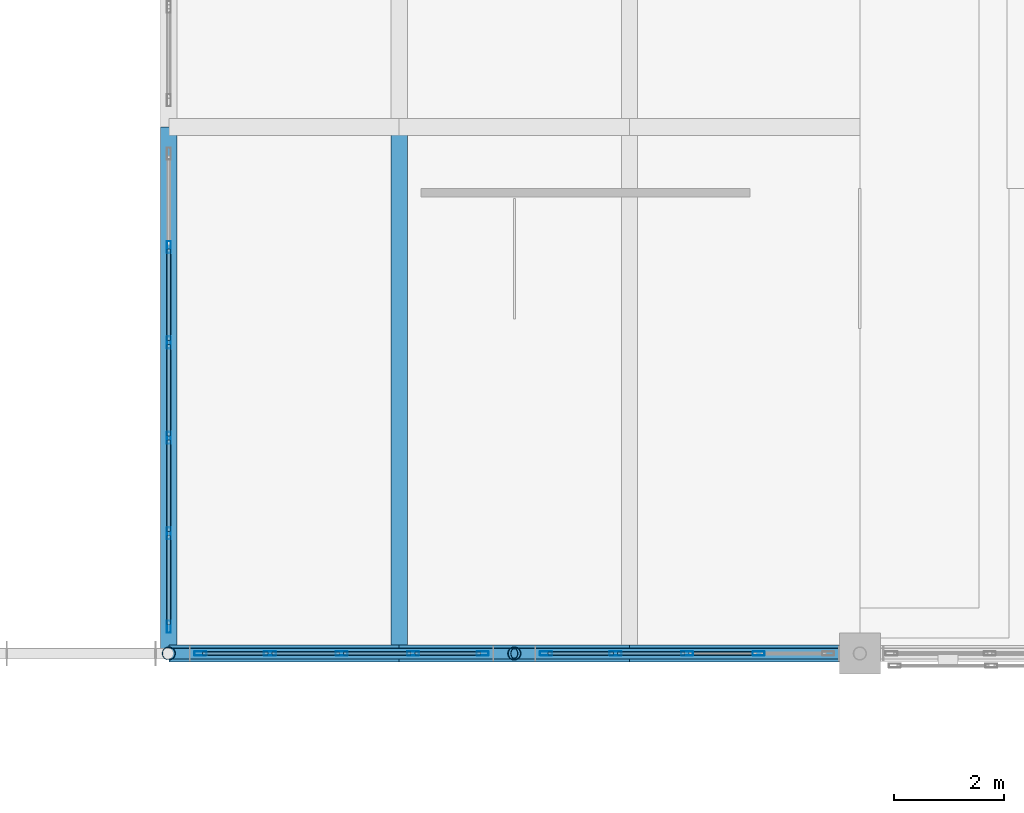
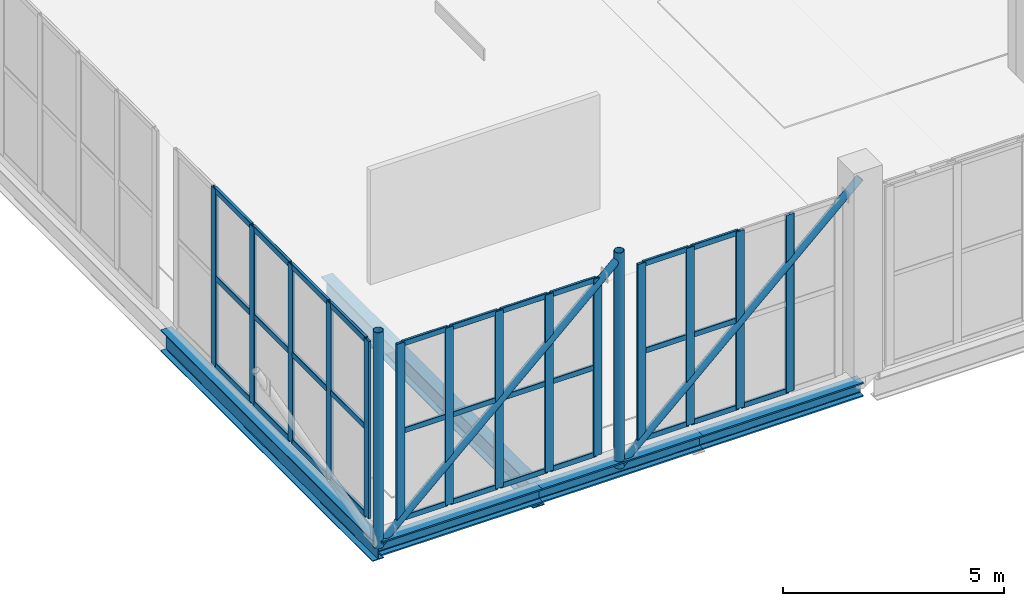
# One storey, part 2 of 49: 52 members, 2 beams, 3 elements without a shape of their own.
"""IFC4 building model written with IfcOpenShell, lengths in metres."""

import ifcopenshell
import ifcopenshell.guid

model = None  # the IFC model being written
_history = None  # IfcOwnerHistory: only IFC2X3 demands one
_inside = {}  # id of a spatial element -> (the spatial element, [elements in it])
_under = {}  # id of a project, library or spatial element -> (it, [spatial elements below it])
_declared = {}  # id of a project -> (the project, [libraries it declares])
_typed = {}  # id of a type object -> (the type object, [elements of that type])
_made_of = {}  # id of a material, layer set ... -> (it, [elements and type objects made of it])


def new_model(schema):
    """Start an empty IFC model of exactly this schema.

    Asked for "IFC4X3", IfcOpenShell would pick the latest addendum, in which some entities
    have other attributes; the version numbers below select the first issue.
    IFC2X3 requires an IfcOwnerHistory on every rooted entity: one is made here for all.
    """
    global model, _history
    if schema == "IFC4X3":
        model = ifcopenshell.file(schema_version=(4, 3, 0, 0))
    else:
        model = ifcopenshell.file(schema=schema)
    _inside.clear()
    _under.clear()
    _declared.clear()
    _typed.clear()
    _made_of.clear()
    _history = None
    if model.schema == "IFC2X3":
        org = make("IfcOrganization", Name="unknown")
        user = make(
            "IfcPersonAndOrganization",
            ThePerson=make("IfcPerson", FamilyName="unknown"),
            TheOrganization=org,
        )
        app = make(
            "IfcApplication",
            ApplicationDeveloper=org,
            Version="unknown",
            ApplicationFullName="unknown",
            ApplicationIdentifier="unknown",
        )
        _history = make(
            "IfcOwnerHistory",
            OwningUser=user,
            OwningApplication=app,
            ChangeAction="ADDED",
            CreationDate=0,
        )
    return model


def make(cls, **values):
    """One entity of the class cls with the attributes given. An attribute that is None is left unset."""
    return model.create_entity(
        cls, **{name: value for name, value in values.items() if value is not None}
    )


def rooted(cls, **values):
    """An entity with a GlobalId (a new one), such as an element, a storey or a relation."""
    return make(cls, GlobalId=ifcopenshell.guid.new(), OwnerHistory=_history, **values)


def si_unit(unit_type, name, prefix=None):
    """IfcSIUnit, for example si_unit("LENGTHUNIT", "METRE", prefix="MILLI")."""
    return make("IfcSIUnit", UnitType=unit_type, Prefix=prefix, Name=name)


def assignment(units):
    """IfcUnitAssignment: the units of a project."""
    return None if units is None else make("IfcUnitAssignment", Units=units)


def point(xyz):
    """IfcCartesianPoint."""
    return None if xyz is None else make("IfcCartesianPoint", Coordinates=xyz)


def direction(xyz):
    """IfcDirection."""
    return None if xyz is None else make("IfcDirection", DirectionRatios=xyz)


def frame(location, z_axis=None, x_axis=None):
    """IfcAxis2Placement3D, a coordinate frame: its origin and axes. An axis left out is left unset."""
    return make(
        "IfcAxis2Placement3D",
        Location=point(location),
        Axis=direction(z_axis),
        RefDirection=direction(x_axis),
    )


def frame_2d(location, x_axis=None):
    """IfcAxis2Placement2D, a coordinate frame in the plane: its origin and x axis."""
    return make(
        "IfcAxis2Placement2D", Location=point(location), RefDirection=direction(x_axis)
    )


def origin():
    """The frame at (0, 0, 0) with its axes left unset."""
    return frame((0.0, 0.0, 0.0))


def origin_2d():
    """The frame at (0, 0) in the plane with its x axis left unset."""
    return frame_2d((0.0, 0.0))


def place(relative_to, where):
    """IfcLocalPlacement: puts the frame where relative to a parent placement (None: the world)."""
    return make(
        "IfcLocalPlacement", PlacementRelTo=relative_to, RelativePlacement=where
    )


def context(
    kind, dimensions, precision=None, world=None, true_north=None, identifier=None
):
    """IfcGeometricRepresentationContext, for example the 3D "Model" context."""
    return make(
        "IfcGeometricRepresentationContext",
        ContextIdentifier=identifier,
        ContextType=kind,
        CoordinateSpaceDimension=dimensions,
        Precision=precision,
        WorldCoordinateSystem=world,
        TrueNorth=true_north,
    )


def subcontext(parent, identifier, kind, view, scale=None):
    """IfcGeometricRepresentationSubContext, for example "Body" below "Model"."""
    return make(
        "IfcGeometricRepresentationSubContext",
        ContextIdentifier=identifier,
        ContextType=kind,
        ParentContext=parent,
        TargetScale=scale,
        TargetView=view,
    )


def project(units=None, contexts=None):
    """IfcProject with its units and contexts."""
    return rooted(
        "IfcProject",
        Name="project",
        RepresentationContexts=contexts,
        UnitsInContext=assignment(units),
    )


def spatial(cls, under=None, at=None, **own):
    """A site, building, storey or space (cls), placed at a placement, below another one or the project."""
    s = rooted(cls, ObjectPlacement=at, **own)
    if under is not None:
        _under.setdefault(under.id(), (under, []))[1].append(s)
    return s


def profile(cls, at=None, kind="AREA", **sizes):
    """A parametric profile (cls). Its sizes go by their IFC names, for example OverallWidth=200.0."""
    return make(cls, ProfileType=kind, Position=at, **sizes)


def hollow_rectangle(**sizes):
    """IfcRectangleHollowProfileDef."""
    return profile("IfcRectangleHollowProfileDef", **sizes)


def hollow_circle(**sizes):
    """IfcCircleHollowProfileDef."""
    return profile("IfcCircleHollowProfileDef", **sizes)


def i_section(**sizes):
    """IfcIShapeProfileDef."""
    return profile("IfcIShapeProfileDef", **sizes)


def extrude(swept, where, along, depth):
    """IfcExtrudedAreaSolid: the profile swept, set in the frame where, extruded along a direction by depth."""
    return make(
        "IfcExtrudedAreaSolid",
        SweptArea=swept,
        Position=where,
        ExtrudedDirection=direction(along),
        Depth=depth,
    )


def shape(context_of_items, identifier, shape_type, items):
    """IfcShapeRepresentation: the items that make up one representation, for example the "Body"."""
    return make(
        "IfcShapeRepresentation",
        ContextOfItems=context_of_items,
        RepresentationIdentifier=identifier,
        RepresentationType=shape_type,
        Items=items,
    )


def material(Name=None, Category=None):
    """IfcMaterial."""
    return make("IfcMaterial", Name=Name, Category=Category)


def layer(
    of_material, thickness, ventilated=None, Name=None, Category=None, Priority=None
):
    """IfcMaterialLayer: one layer of a wall or slab, of a material (None: an air gap)."""
    return make(
        "IfcMaterialLayer",
        Material=of_material,
        LayerThickness=thickness,
        IsVentilated=ventilated,
        Name=Name,
        Category=Category,
        Priority=Priority,
    )


def layer_set(layers, Name=None):
    """IfcMaterialLayerSet."""
    return make("IfcMaterialLayerSet", MaterialLayers=layers, LayerSetName=Name)


def material_profile(
    of_material, cross_section, Name=None, Category=None, Priority=None
):
    """IfcMaterialProfile: a cross section and its material."""
    return make(
        "IfcMaterialProfile",
        Name=Name,
        Material=of_material,
        Profile=cross_section,
        Priority=Priority,
        Category=Category,
    )


def profile_set(profiles, Name=None, composite=None):
    """IfcMaterialProfileSet."""
    return make(
        "IfcMaterialProfileSet",
        Name=Name,
        MaterialProfiles=profiles,
        CompositeProfile=composite,
    )


def made_of(thing, what):
    """Note that an element or type object is made of a material, layer set ...; save() writes the relation."""
    if what is not None:
        _made_of.setdefault(what.id(), (what, []))[1].append(thing)
    return thing


def type_object(cls, material=None, **own):
    """A type object (cls), such as IfcWallType, which elements share."""
    return made_of(rooted(cls, **own), material)


def element(
    cls,
    number,
    at=None,
    inside=None,
    cuts=None,
    type_object=None,
    material=None,
    context=None,
    identifier="Body",
    shape_type=None,
    held_by="IfcProductDefinitionShape",
    body=None,
    shapes=None,
    **own,
):
    """One element of the class cls, such as IfcWall. Its Tag is "e" and its number.

    at: its placement. inside: the storey or other place that contains it. cuts: it is an
    opening in that element (IfcRelVoidsElement). A single representation is given by context,
    identifier, shape_type and body (its items); several are given by shapes. held_by: the class
    of the entity that holds the representations. save() writes the other relations.
    """
    e = rooted(cls, Tag="e%d" % number, ObjectPlacement=at, **own)
    if body is not None:
        shapes = [shape(context, identifier, shape_type, body)]
    if shapes is not None:
        e.Representation = make(held_by, Representations=shapes)
    if inside is not None:
        _inside.setdefault(inside.id(), (inside, []))[1].append(e)
    if cuts is not None:
        rooted(
            "IfcRelVoidsElement", RelatingBuildingElement=cuts, RelatedOpeningElement=e
        )
    if type_object is not None:
        _typed.setdefault(type_object.id(), (type_object, []))[1].append(e)
    return made_of(e, material)


def aggregate(whole, parts):
    """IfcRelAggregates: a whole, such as a stair, and the parts it consists of."""
    return rooted("IfcRelAggregates", RelatingObject=whole, RelatedObjects=parts)


def save(model, path):
    """Write the relations noted so far, then the file.

    IfcRelAggregates (storeys below a building ...), IfcRelContainedInSpatialStructure (elements
    in a storey), IfcRelDefinesByType, IfcRelAssociatesMaterial and IfcRelDeclares: one each for
    every whole, place, type object, material and project.
    """
    for whole, parts in _under.values():
        aggregate(whole, parts)
    for where, things in _inside.values():
        rooted(
            "IfcRelContainedInSpatialStructure",
            RelatedElements=things,
            RelatingStructure=where,
        )
    for kind, things in _typed.values():
        rooted("IfcRelDefinesByType", RelatedObjects=things, RelatingType=kind)
    for what, things in _made_of.values():
        rooted("IfcRelAssociatesMaterial", RelatedObjects=things, RelatingMaterial=what)
    for by, libraries in _declared.values():
        rooted("IfcRelDeclares", RelatingContext=by, RelatedDefinitions=libraries)
    model.write(path)


model = new_model("IFC4")

# Units and contexts
model_context = context("Model", 3, precision=1e-05, world=origin(), true_north=direction((0.0, 1.0)))
body_context = subcontext(model_context, "Body", "Model", "MODEL_VIEW")
ifc_project = project(units=[si_unit("LENGTHUNIT", "METRE"), si_unit("AREAUNIT", "SQUARE_METRE"), si_unit("VOLUMEUNIT", "CUBIC_METRE"), si_unit("PLANEANGLEUNIT", "RADIAN"), si_unit("MASSUNIT", "GRAM", prefix="KILO")], contexts=[model_context])

# Site, building, storey
site_placement = place(None, origin())
site = spatial("IfcSite", under=ifc_project, at=site_placement, CompositionType="ELEMENT")
building_placement = place(site_placement, origin())
building = spatial("IfcBuilding", under=site, at=building_placement, Name="Zulmaris Art Gallery", CompositionType="ELEMENT")
storey_placement = place(building_placement, frame((0.0, 0.0, 20.699951171875)))
storey = spatial("IfcBuildingStorey", under=building, at=storey_placement, Name="L04", CompositionType="ELEMENT", Elevation=20.699951171875)

# Beams
ifc_material_1 = material(Name="Steel S355J2", Category="steel")
ifc_material_profile_1 = material_profile(ifc_material_1, i_section(OverallWidth=0.300048828125, OverallDepth=0.590087890625, WebThickness=0.012939453125, FlangeThickness=0.02490234375, FilletRadius=0.027099609375, at=origin_2d()), Name="HEA 600")
ifc_profile_set_1 = profile_set([ifc_material_profile_1], Name="Steel S355J2")
beam_type = type_object("IfcBeamType", Name="BEAM-BM12", PredefinedType="BEAM", material=ifc_profile_set_1)
for number, where, z_axis, x_axis, name in (
    (1, (11.39990234375, 21.60009765625, -0.614990234375), (0.0, 1.0, 0.0), (-1.0, 0.0, 0.0), "L04 cantilever transverse girder at x=11.4"),
    (2, (15.60009765625, 21.60009765625, -0.614990234375), (0.0, 1.0, 0.0), (-1.0, 0.0, 0.0), "L04 cantilever transverse girder at x=15.6"),
):
    element("IfcBeam", number, at=place(storey_placement, frame(where, z_axis=z_axis, x_axis=x_axis)), inside=storey, type_object=beam_type, Name=name, PredefinedType="BEAM", context=body_context, shape_type="SweptSolid", body=[
        extrude(i_section(OverallWidth=0.300048828125, OverallDepth=0.590087890625, WebThickness=0.012939453125, FlangeThickness=0.02490234375, FilletRadius=0.027099609375, at=origin_2d()), origin(), (0.0, 0.0, 1.0), 9.599853515625),
    ])

# Curtain wall, members
ifc_material_2 = material(Name="Unitised Low-E Gallery Curtain Wall", Category="aluminium")
ifc_layer_1 = layer(ifc_material_2, 0.179931640625)
ifc_layer_set_1 = layer_set([ifc_layer_1], Name="Unitised Low-E Gallery Curtain Wall")
curtain_wall_type_1 = type_object("IfcCurtainWallType", Name="CW-CW01", PredefinedType="NOTDEFINED", material=ifc_layer_set_1)
curtain_wall_1_placement = place(storey_placement, origin())
curtain_wall_1 = element("IfcCurtainWall", 3, at=curtain_wall_1_placement, inside=storey, type_object=curtain_wall_type_1, Name="L04 curtain wall 19", PredefinedType="NOTDEFINED")
ifc_material_3 = material(Name="Anodised Bronze Aluminium", Category="aluminium")
ifc_material_profile_2 = material_profile(ifc_material_3, hollow_rectangle(XDim=0.074951171875, YDim=0.219970703125, WallThickness=0.0048828125, InnerFilletRadius=0.007568359375, OuterFilletRadius=0.012451171875, at=origin_2d()), Name="ALU 75x220x5")
ifc_profile_set_2 = profile_set([ifc_material_profile_2], Name="Anodised Bronze Aluminium")
member_type_1 = type_object("IfcMemberType", Name="CWMUL-02", PredefinedType="MULLION", material=ifc_profile_set_2)
member_1_placement = place(storey_placement, frame((11.9775390625, 21.60009765625, 0.0), z_axis=(0.0, 0.0, 1.0), x_axis=(0.0, 1.0, 0.0)))
member_1 = element("IfcMember", 4, at=member_1_placement, type_object=member_type_1, Name="CW01 mullion 1", PredefinedType="MULLION", context=body_context, shape_type="SweptSolid", body=[
    extrude(hollow_rectangle(XDim=0.074951171875, YDim=0.219970703125, WallThickness=0.0048828125, InnerFilletRadius=0.007568359375, OuterFilletRadius=0.012451171875, at=origin_2d()), origin(), (0.0, 0.0, 1.0), 4.900146484375),
])
member_2_placement = place(storey_placement, frame((13.2451171875, 21.60009765625, 0.0), z_axis=(0.0, 0.0, 1.0), x_axis=(0.0, 1.0, 0.0)))
member_2 = element("IfcMember", 5, at=member_2_placement, type_object=member_type_1, Name="CW01 mullion 2", PredefinedType="MULLION", context=body_context, shape_type="SweptSolid", body=[
    extrude(hollow_rectangle(XDim=0.074951171875, YDim=0.219970703125, WallThickness=0.0048828125, InnerFilletRadius=0.007568359375, OuterFilletRadius=0.012451171875, at=origin_2d()), origin(), (0.0, 0.0, 1.0), 4.900146484375),
])
member_3_placement = place(storey_placement, frame((14.550048828125, 21.60009765625, 0.0), z_axis=(0.0, 0.0, 1.0), x_axis=(0.0, 1.0, 0.0)))
member_3 = element("IfcMember", 6, at=member_3_placement, type_object=member_type_1, Name="CW01 mullion 3", PredefinedType="MULLION", context=body_context, shape_type="SweptSolid", body=[
    extrude(hollow_rectangle(XDim=0.074951171875, YDim=0.219970703125, WallThickness=0.0048828125, InnerFilletRadius=0.007568359375, OuterFilletRadius=0.012451171875, at=origin_2d()), origin(), (0.0, 0.0, 1.0), 4.900146484375),
])
member_4_placement = place(storey_placement, frame((15.85498046875, 21.60009765625, 0.0), z_axis=(0.0, 0.0, 1.0), x_axis=(0.0, 1.0, 0.0)))
member_4 = element("IfcMember", 7, at=member_4_placement, type_object=member_type_1, Name="CW01 mullion 4", PredefinedType="MULLION", context=body_context, shape_type="SweptSolid", body=[
    extrude(hollow_rectangle(XDim=0.074951171875, YDim=0.219970703125, WallThickness=0.0048828125, InnerFilletRadius=0.007568359375, OuterFilletRadius=0.012451171875, at=origin_2d()), origin(), (0.0, 0.0, 1.0), 4.900146484375),
])
member_5_placement = place(storey_placement, frame((17.12255859375, 21.60009765625, 0.0), z_axis=(0.0, 0.0, 1.0), x_axis=(0.0, 1.0, 0.0)))
member_5 = element("IfcMember", 8, at=member_5_placement, type_object=member_type_1, Name="CW01 mullion 5", PredefinedType="MULLION", context=body_context, shape_type="SweptSolid", body=[
    extrude(hollow_rectangle(XDim=0.074951171875, YDim=0.219970703125, WallThickness=0.0048828125, InnerFilletRadius=0.007568359375, OuterFilletRadius=0.012451171875, at=origin_2d()), origin(), (0.0, 0.0, 1.0), 4.900146484375),
])

curtain_wall_2_placement = place(storey_placement, origin())
curtain_wall_2 = element("IfcCurtainWall", 9, at=curtain_wall_2_placement, inside=storey, type_object=curtain_wall_type_1, Name="L04 curtain wall 21", PredefinedType="NOTDEFINED")
member_6_placement = place(storey_placement, frame((18.277587890625, 21.60009765625, 0.0), z_axis=(0.0, 0.0, 1.0), x_axis=(0.0, 1.0, 0.0)))
member_6 = element("IfcMember", 10, at=member_6_placement, type_object=member_type_1, Name="CW01 mullion 1", PredefinedType="MULLION", context=body_context, shape_type="SweptSolid", body=[
    extrude(hollow_rectangle(XDim=0.074951171875, YDim=0.219970703125, WallThickness=0.0048828125, InnerFilletRadius=0.007568359375, OuterFilletRadius=0.012451171875, at=origin_2d()), origin(), (0.0, 0.0, 1.0), 4.900146484375),
])
member_7_placement = place(storey_placement, frame((19.544921875, 21.60009765625, 0.0), z_axis=(0.0, 0.0, 1.0), x_axis=(0.0, 1.0, 0.0)))
member_7 = element("IfcMember", 11, at=member_7_placement, type_object=member_type_1, Name="CW01 mullion 2", PredefinedType="MULLION", context=body_context, shape_type="SweptSolid", body=[
    extrude(hollow_rectangle(XDim=0.074951171875, YDim=0.219970703125, WallThickness=0.0048828125, InnerFilletRadius=0.007568359375, OuterFilletRadius=0.012451171875, at=origin_2d()), origin(), (0.0, 0.0, 1.0), 4.900146484375),
])
member_8_placement = place(storey_placement, frame((20.85009765625, 21.60009765625, 0.0), z_axis=(0.0, 0.0, 1.0), x_axis=(0.0, 1.0, 0.0)))
member_8 = element("IfcMember", 12, at=member_8_placement, type_object=member_type_1, Name="CW01 mullion 3", PredefinedType="MULLION", context=body_context, shape_type="SweptSolid", body=[
    extrude(hollow_rectangle(XDim=0.074951171875, YDim=0.219970703125, WallThickness=0.0048828125, InnerFilletRadius=0.007568359375, OuterFilletRadius=0.012451171875, at=origin_2d()), origin(), (0.0, 0.0, 1.0), 4.900146484375),
])
member_9_placement = place(storey_placement, frame((22.155029296875, 21.60009765625, 0.0), z_axis=(0.0, 0.0, 1.0), x_axis=(0.0, 1.0, 0.0)))
member_9 = element("IfcMember", 13, at=member_9_placement, type_object=member_type_1, Name="CW01 mullion 4", PredefinedType="MULLION", context=body_context, shape_type="SweptSolid", body=[
    extrude(hollow_rectangle(XDim=0.074951171875, YDim=0.219970703125, WallThickness=0.0048828125, InnerFilletRadius=0.007568359375, OuterFilletRadius=0.012451171875, at=origin_2d()), origin(), (0.0, 0.0, 1.0), 4.900146484375),
])

ifc_material_4 = material(Name="Belvedere Horizon Glazed Curtain Wall", Category="aluminium")
ifc_layer_2 = layer(ifc_material_4, 0.179931640625)
ifc_layer_set_2 = layer_set([ifc_layer_2], Name="Belvedere Horizon Glazed Curtain Wall")
curtain_wall_type_2 = type_object("IfcCurtainWallType", Name="CW-CW02", PredefinedType="NOTDEFINED", material=ifc_layer_set_2)
curtain_wall_3_placement = place(storey_placement, origin())
curtain_wall_3 = element("IfcCurtainWall", 14, at=curtain_wall_3_placement, inside=storey, type_object=curtain_wall_type_2, Name="L04 curtain wall 35", PredefinedType="NOTDEFINED")
member_10_placement = place(storey_placement, frame((11.39990234375, 22.08740234375, 0.0), z_axis=(0.0, 0.0, 1.0), x_axis=(-1.0, 0.0, 0.0)))
member_10 = element("IfcMember", 15, at=member_10_placement, type_object=member_type_1, Name="CW02 mullion 1", PredefinedType="MULLION", context=body_context, shape_type="SweptSolid", body=[
    extrude(hollow_rectangle(XDim=0.074951171875, YDim=0.219970703125, WallThickness=0.0048828125, InnerFilletRadius=0.007568359375, OuterFilletRadius=0.012451171875, at=origin_2d()), origin(), (0.0, 0.0, 1.0), 4.900146484375),
])
member_11_placement = place(storey_placement, frame((11.39990234375, 23.7900390625, 0.0), z_axis=(0.0, 0.0, 1.0), x_axis=(-1.0, 0.0, 0.0)))
member_11 = element("IfcMember", 16, at=member_11_placement, type_object=member_type_1, Name="CW02 mullion 2", PredefinedType="MULLION", context=body_context, shape_type="SweptSolid", body=[
    extrude(hollow_rectangle(XDim=0.074951171875, YDim=0.219970703125, WallThickness=0.0048828125, InnerFilletRadius=0.007568359375, OuterFilletRadius=0.012451171875, at=origin_2d()), origin(), (0.0, 0.0, 1.0), 4.900146484375),
])
member_12_placement = place(storey_placement, frame((11.39990234375, 25.530029296875, 0.0), z_axis=(0.0, 0.0, 1.0), x_axis=(-1.0, 0.0, 0.0)))
member_12 = element("IfcMember", 17, at=member_12_placement, type_object=member_type_1, Name="CW02 mullion 3", PredefinedType="MULLION", context=body_context, shape_type="SweptSolid", body=[
    extrude(hollow_rectangle(XDim=0.074951171875, YDim=0.219970703125, WallThickness=0.0048828125, InnerFilletRadius=0.007568359375, OuterFilletRadius=0.012451171875, at=origin_2d()), origin(), (0.0, 0.0, 1.0), 4.900146484375),
])
member_13_placement = place(storey_placement, frame((11.39990234375, 27.27001953125, 0.0), z_axis=(0.0, 0.0, 1.0), x_axis=(-1.0, 0.0, 0.0)))
member_13 = element("IfcMember", 18, at=member_13_placement, type_object=member_type_1, Name="CW02 mullion 4", PredefinedType="MULLION", context=body_context, shape_type="SweptSolid", body=[
    extrude(hollow_rectangle(XDim=0.074951171875, YDim=0.219970703125, WallThickness=0.0048828125, InnerFilletRadius=0.007568359375, OuterFilletRadius=0.012451171875, at=origin_2d()), origin(), (0.0, 0.0, 1.0), 4.900146484375),
])
member_14_placement = place(storey_placement, frame((11.39990234375, 29.010009765625, 0.0), z_axis=(0.0, 0.0, 1.0), x_axis=(-1.0, 0.0, 0.0)))
member_14 = element("IfcMember", 19, at=member_14_placement, type_object=member_type_1, Name="CW02 mullion 5", PredefinedType="MULLION", context=body_context, shape_type="SweptSolid", body=[
    extrude(hollow_rectangle(XDim=0.074951171875, YDim=0.219970703125, WallThickness=0.0048828125, InnerFilletRadius=0.007568359375, OuterFilletRadius=0.012451171875, at=origin_2d()), origin(), (0.0, 0.0, 1.0), 4.900146484375),
])

# Member
ifc_material_profile_3 = material_profile(ifc_material_3, hollow_rectangle(XDim=0.06494140625, YDim=0.14990234375, WallThickness=0.00390625, InnerFilletRadius=0.006103515625, OuterFilletRadius=0.010009765625, at=origin_2d()), Name="ALU 65x150x4")
ifc_profile_set_3 = profile_set([ifc_material_profile_3], Name="Anodised Bronze Aluminium")
member_type_2 = type_object("IfcMemberType", Name="CWTRN-01", PredefinedType="USERDEFINED", material=ifc_profile_set_3)
member_15_placement = place(storey_placement, frame((12.014892578125, 21.60009765625, 0.03759765625), z_axis=(1.0, 0.0, 0.0), x_axis=(0.0, 1.0, 0.0)))
member_15 = element("IfcMember", 20, at=member_15_placement, type_object=member_type_2, Name="CW01 transom 1.1", ObjectType="TRANSOM", PredefinedType="USERDEFINED", context=body_context, shape_type="SweptSolid", body=[
    extrude(hollow_rectangle(XDim=0.06494140625, YDim=0.14990234375, WallThickness=0.00390625, InnerFilletRadius=0.006103515625, OuterFilletRadius=0.010009765625, at=origin_2d()), origin(), (0.0, 0.0, 1.0), 1.192626953125),
])

member_16_placement = place(storey_placement, frame((12.014892578125, 21.60009765625, 2.449951171875), z_axis=(1.0, 0.0, 0.0), x_axis=(0.0, 1.0, 0.0)))
member_16 = element("IfcMember", 21, at=member_16_placement, type_object=member_type_2, Name="CW01 transom 1.2", ObjectType="TRANSOM", PredefinedType="USERDEFINED", context=body_context, shape_type="SweptSolid", body=[
    extrude(hollow_rectangle(XDim=0.06494140625, YDim=0.14990234375, WallThickness=0.00390625, InnerFilletRadius=0.006103515625, OuterFilletRadius=0.010009765625, at=origin_2d()), origin(), (0.0, 0.0, 1.0), 1.192626953125),
])

member_17_placement = place(storey_placement, frame((12.014892578125, 21.60009765625, 4.862548828125), z_axis=(1.0, 0.0, 0.0), x_axis=(0.0, 1.0, 0.0)))
member_17 = element("IfcMember", 22, at=member_17_placement, type_object=member_type_2, Name="CW01 transom 1.3", ObjectType="TRANSOM", PredefinedType="USERDEFINED", context=body_context, shape_type="SweptSolid", body=[
    extrude(hollow_rectangle(XDim=0.06494140625, YDim=0.14990234375, WallThickness=0.00390625, InnerFilletRadius=0.006103515625, OuterFilletRadius=0.010009765625, at=origin_2d()), origin(), (0.0, 0.0, 1.0), 1.192626953125),
])

member_18_placement = place(storey_placement, frame((13.282470703125, 21.60009765625, 0.03759765625), z_axis=(1.0, 0.0, 0.0), x_axis=(0.0, 1.0, 0.0)))
member_18 = element("IfcMember", 23, at=member_18_placement, type_object=member_type_2, Name="CW01 transom 2.1", ObjectType="TRANSOM", PredefinedType="USERDEFINED", context=body_context, shape_type="SweptSolid", body=[
    extrude(hollow_rectangle(XDim=0.06494140625, YDim=0.14990234375, WallThickness=0.00390625, InnerFilletRadius=0.006103515625, OuterFilletRadius=0.010009765625, at=origin_2d()), origin(), (0.0, 0.0, 1.0), 1.22998046875),
])

member_19_placement = place(storey_placement, frame((13.282470703125, 21.60009765625, 2.449951171875), z_axis=(1.0, 0.0, 0.0), x_axis=(0.0, 1.0, 0.0)))
member_19 = element("IfcMember", 24, at=member_19_placement, type_object=member_type_2, Name="CW01 transom 2.2", ObjectType="TRANSOM", PredefinedType="USERDEFINED", context=body_context, shape_type="SweptSolid", body=[
    extrude(hollow_rectangle(XDim=0.06494140625, YDim=0.14990234375, WallThickness=0.00390625, InnerFilletRadius=0.006103515625, OuterFilletRadius=0.010009765625, at=origin_2d()), origin(), (0.0, 0.0, 1.0), 1.22998046875),
])

member_20_placement = place(storey_placement, frame((13.282470703125, 21.60009765625, 4.862548828125), z_axis=(1.0, 0.0, 0.0), x_axis=(0.0, 1.0, 0.0)))
member_20 = element("IfcMember", 25, at=member_20_placement, type_object=member_type_2, Name="CW01 transom 2.3", ObjectType="TRANSOM", PredefinedType="USERDEFINED", context=body_context, shape_type="SweptSolid", body=[
    extrude(hollow_rectangle(XDim=0.06494140625, YDim=0.14990234375, WallThickness=0.00390625, InnerFilletRadius=0.006103515625, OuterFilletRadius=0.010009765625, at=origin_2d()), origin(), (0.0, 0.0, 1.0), 1.22998046875),
])

member_21_placement = place(storey_placement, frame((14.58740234375, 21.60009765625, 0.03759765625), z_axis=(1.0, 0.0, 0.0), x_axis=(0.0, 1.0, 0.0)))
member_21 = element("IfcMember", 26, at=member_21_placement, type_object=member_type_2, Name="CW01 transom 3.1", ObjectType="TRANSOM", PredefinedType="USERDEFINED", context=body_context, shape_type="SweptSolid", body=[
    extrude(hollow_rectangle(XDim=0.06494140625, YDim=0.14990234375, WallThickness=0.00390625, InnerFilletRadius=0.006103515625, OuterFilletRadius=0.010009765625, at=origin_2d()), origin(), (0.0, 0.0, 1.0), 1.22998046875),
])

member_22_placement = place(storey_placement, frame((14.58740234375, 21.60009765625, 2.449951171875), z_axis=(1.0, 0.0, 0.0), x_axis=(0.0, 1.0, 0.0)))
member_22 = element("IfcMember", 27, at=member_22_placement, type_object=member_type_2, Name="CW01 transom 3.2", ObjectType="TRANSOM", PredefinedType="USERDEFINED", context=body_context, shape_type="SweptSolid", body=[
    extrude(hollow_rectangle(XDim=0.06494140625, YDim=0.14990234375, WallThickness=0.00390625, InnerFilletRadius=0.006103515625, OuterFilletRadius=0.010009765625, at=origin_2d()), origin(), (0.0, 0.0, 1.0), 1.22998046875),
])

member_23_placement = place(storey_placement, frame((14.58740234375, 21.60009765625, 4.862548828125), z_axis=(1.0, 0.0, 0.0), x_axis=(0.0, 1.0, 0.0)))
member_23 = element("IfcMember", 28, at=member_23_placement, type_object=member_type_2, Name="CW01 transom 3.3", ObjectType="TRANSOM", PredefinedType="USERDEFINED", context=body_context, shape_type="SweptSolid", body=[
    extrude(hollow_rectangle(XDim=0.06494140625, YDim=0.14990234375, WallThickness=0.00390625, InnerFilletRadius=0.006103515625, OuterFilletRadius=0.010009765625, at=origin_2d()), origin(), (0.0, 0.0, 1.0), 1.22998046875),
])

member_24_placement = place(storey_placement, frame((15.892578125, 21.60009765625, 0.03759765625), z_axis=(1.0, 0.0, 0.0), x_axis=(0.0, 1.0, 0.0)))
member_24 = element("IfcMember", 29, at=member_24_placement, type_object=member_type_2, Name="CW01 transom 4.1", ObjectType="TRANSOM", PredefinedType="USERDEFINED", context=body_context, shape_type="SweptSolid", body=[
    extrude(hollow_rectangle(XDim=0.06494140625, YDim=0.14990234375, WallThickness=0.00390625, InnerFilletRadius=0.006103515625, OuterFilletRadius=0.010009765625, at=origin_2d()), origin(), (0.0, 0.0, 1.0), 1.1923828125),
])

member_25_placement = place(storey_placement, frame((15.892578125, 21.60009765625, 2.449951171875), z_axis=(1.0, 0.0, 0.0), x_axis=(0.0, 1.0, 0.0)))
member_25 = element("IfcMember", 30, at=member_25_placement, type_object=member_type_2, Name="CW01 transom 4.2", ObjectType="TRANSOM", PredefinedType="USERDEFINED", context=body_context, shape_type="SweptSolid", body=[
    extrude(hollow_rectangle(XDim=0.06494140625, YDim=0.14990234375, WallThickness=0.00390625, InnerFilletRadius=0.006103515625, OuterFilletRadius=0.010009765625, at=origin_2d()), origin(), (0.0, 0.0, 1.0), 1.1923828125),
])

member_26_placement = place(storey_placement, frame((15.892578125, 21.60009765625, 4.862548828125), z_axis=(1.0, 0.0, 0.0), x_axis=(0.0, 1.0, 0.0)))
member_26 = element("IfcMember", 31, at=member_26_placement, type_object=member_type_2, Name="CW01 transom 4.3", ObjectType="TRANSOM", PredefinedType="USERDEFINED", context=body_context, shape_type="SweptSolid", body=[
    extrude(hollow_rectangle(XDim=0.06494140625, YDim=0.14990234375, WallThickness=0.00390625, InnerFilletRadius=0.006103515625, OuterFilletRadius=0.010009765625, at=origin_2d()), origin(), (0.0, 0.0, 1.0), 1.1923828125),
])

aggregate(curtain_wall_1, [member_1, member_2, member_3, member_4, member_5, member_15, member_16, member_17, member_18, member_19, member_20, member_21, member_22, member_23, member_24, member_25, member_26])

member_27_placement = place(storey_placement, frame((18.31494140625, 21.60009765625, 0.03759765625), z_axis=(1.0, 0.0, 0.0), x_axis=(0.0, 1.0, 0.0)))
member_27 = element("IfcMember", 32, at=member_27_placement, type_object=member_type_2, Name="CW01 transom 1.1", ObjectType="TRANSOM", PredefinedType="USERDEFINED", context=body_context, shape_type="SweptSolid", body=[
    extrude(hollow_rectangle(XDim=0.06494140625, YDim=0.14990234375, WallThickness=0.00390625, InnerFilletRadius=0.006103515625, OuterFilletRadius=0.010009765625, at=origin_2d()), origin(), (0.0, 0.0, 1.0), 1.192626953125),
])

member_28_placement = place(storey_placement, frame((18.31494140625, 21.60009765625, 2.449951171875), z_axis=(1.0, 0.0, 0.0), x_axis=(0.0, 1.0, 0.0)))
member_28 = element("IfcMember", 33, at=member_28_placement, type_object=member_type_2, Name="CW01 transom 1.2", ObjectType="TRANSOM", PredefinedType="USERDEFINED", context=body_context, shape_type="SweptSolid", body=[
    extrude(hollow_rectangle(XDim=0.06494140625, YDim=0.14990234375, WallThickness=0.00390625, InnerFilletRadius=0.006103515625, OuterFilletRadius=0.010009765625, at=origin_2d()), origin(), (0.0, 0.0, 1.0), 1.192626953125),
])

member_29_placement = place(storey_placement, frame((18.31494140625, 21.60009765625, 4.862548828125), z_axis=(1.0, 0.0, 0.0), x_axis=(0.0, 1.0, 0.0)))
member_29 = element("IfcMember", 34, at=member_29_placement, type_object=member_type_2, Name="CW01 transom 1.3", ObjectType="TRANSOM", PredefinedType="USERDEFINED", context=body_context, shape_type="SweptSolid", body=[
    extrude(hollow_rectangle(XDim=0.06494140625, YDim=0.14990234375, WallThickness=0.00390625, InnerFilletRadius=0.006103515625, OuterFilletRadius=0.010009765625, at=origin_2d()), origin(), (0.0, 0.0, 1.0), 1.192626953125),
])

member_30_placement = place(storey_placement, frame((19.58251953125, 21.60009765625, 0.03759765625), z_axis=(1.0, 0.0, 0.0), x_axis=(0.0, 1.0, 0.0)))
member_30 = element("IfcMember", 35, at=member_30_placement, type_object=member_type_2, Name="CW01 transom 2.1", ObjectType="TRANSOM", PredefinedType="USERDEFINED", context=body_context, shape_type="SweptSolid", body=[
    extrude(hollow_rectangle(XDim=0.06494140625, YDim=0.14990234375, WallThickness=0.00390625, InnerFilletRadius=0.006103515625, OuterFilletRadius=0.010009765625, at=origin_2d()), origin(), (0.0, 0.0, 1.0), 1.22998046875),
])

member_31_placement = place(storey_placement, frame((19.58251953125, 21.60009765625, 2.449951171875), z_axis=(1.0, 0.0, 0.0), x_axis=(0.0, 1.0, 0.0)))
member_31 = element("IfcMember", 36, at=member_31_placement, type_object=member_type_2, Name="CW01 transom 2.2", ObjectType="TRANSOM", PredefinedType="USERDEFINED", context=body_context, shape_type="SweptSolid", body=[
    extrude(hollow_rectangle(XDim=0.06494140625, YDim=0.14990234375, WallThickness=0.00390625, InnerFilletRadius=0.006103515625, OuterFilletRadius=0.010009765625, at=origin_2d()), origin(), (0.0, 0.0, 1.0), 1.22998046875),
])

member_32_placement = place(storey_placement, frame((19.58251953125, 21.60009765625, 4.862548828125), z_axis=(1.0, 0.0, 0.0), x_axis=(0.0, 1.0, 0.0)))
member_32 = element("IfcMember", 37, at=member_32_placement, type_object=member_type_2, Name="CW01 transom 2.3", ObjectType="TRANSOM", PredefinedType="USERDEFINED", context=body_context, shape_type="SweptSolid", body=[
    extrude(hollow_rectangle(XDim=0.06494140625, YDim=0.14990234375, WallThickness=0.00390625, InnerFilletRadius=0.006103515625, OuterFilletRadius=0.010009765625, at=origin_2d()), origin(), (0.0, 0.0, 1.0), 1.22998046875),
])

member_33_placement = place(storey_placement, frame((20.887451171875, 21.60009765625, 0.03759765625), z_axis=(1.0, 0.0, 0.0), x_axis=(0.0, 1.0, 0.0)))
member_33 = element("IfcMember", 38, at=member_33_placement, type_object=member_type_2, Name="CW01 transom 3.1", ObjectType="TRANSOM", PredefinedType="USERDEFINED", context=body_context, shape_type="SweptSolid", body=[
    extrude(hollow_rectangle(XDim=0.06494140625, YDim=0.14990234375, WallThickness=0.00390625, InnerFilletRadius=0.006103515625, OuterFilletRadius=0.010009765625, at=origin_2d()), origin(), (0.0, 0.0, 1.0), 1.22998046875),
])

aggregate(curtain_wall_2, [member_6, member_7, member_8, member_9, member_27, member_28, member_29, member_30, member_31, member_32, member_33])

ifc_material_profile_4 = material_profile(ifc_material_3, hollow_rectangle(XDim=0.074951171875, YDim=0.159912109375, WallThickness=0.00390625, InnerFilletRadius=0.006103515625, OuterFilletRadius=0.010009765625, at=origin_2d()), Name="ALU 75x160x4")
ifc_profile_set_4 = profile_set([ifc_material_profile_4], Name="Anodised Bronze Aluminium")
member_type_3 = type_object("IfcMemberType", Name="CWTRN-02", PredefinedType="USERDEFINED", material=ifc_profile_set_4)
member_34_placement = place(storey_placement, frame((11.39990234375, 22.125, 0.03759765625), z_axis=(0.0, 1.0, 0.0), x_axis=(-1.0, 0.0, 0.0)))
member_34 = element("IfcMember", 39, at=member_34_placement, type_object=member_type_3, Name="CW02 transom 1.1", ObjectType="TRANSOM", PredefinedType="USERDEFINED", context=body_context, shape_type="SweptSolid", body=[
    extrude(hollow_rectangle(XDim=0.074951171875, YDim=0.159912109375, WallThickness=0.00390625, InnerFilletRadius=0.006103515625, OuterFilletRadius=0.010009765625, at=origin_2d()), origin(), (0.0, 0.0, 1.0), 1.62744140625),
])

member_35_placement = place(storey_placement, frame((11.39990234375, 22.125, 2.449951171875), z_axis=(0.0, 1.0, 0.0), x_axis=(-1.0, 0.0, 0.0)))
member_35 = element("IfcMember", 40, at=member_35_placement, type_object=member_type_3, Name="CW02 transom 1.2", ObjectType="TRANSOM", PredefinedType="USERDEFINED", context=body_context, shape_type="SweptSolid", body=[
    extrude(hollow_rectangle(XDim=0.074951171875, YDim=0.159912109375, WallThickness=0.00390625, InnerFilletRadius=0.006103515625, OuterFilletRadius=0.010009765625, at=origin_2d()), origin(), (0.0, 0.0, 1.0), 1.62744140625),
])

member_36_placement = place(storey_placement, frame((11.39990234375, 22.125, 4.862548828125), z_axis=(0.0, 1.0, 0.0), x_axis=(-1.0, 0.0, 0.0)))
member_36 = element("IfcMember", 41, at=member_36_placement, type_object=member_type_3, Name="CW02 transom 1.3", ObjectType="TRANSOM", PredefinedType="USERDEFINED", context=body_context, shape_type="SweptSolid", body=[
    extrude(hollow_rectangle(XDim=0.074951171875, YDim=0.159912109375, WallThickness=0.00390625, InnerFilletRadius=0.006103515625, OuterFilletRadius=0.010009765625, at=origin_2d()), origin(), (0.0, 0.0, 1.0), 1.62744140625),
])

member_37_placement = place(storey_placement, frame((11.39990234375, 23.827392578125, 0.03759765625), z_axis=(0.0, 1.0, 0.0), x_axis=(-1.0, 0.0, 0.0)))
member_37 = element("IfcMember", 42, at=member_37_placement, type_object=member_type_3, Name="CW02 transom 2.1", ObjectType="TRANSOM", PredefinedType="USERDEFINED", context=body_context, shape_type="SweptSolid", body=[
    extrude(hollow_rectangle(XDim=0.074951171875, YDim=0.159912109375, WallThickness=0.00390625, InnerFilletRadius=0.006103515625, OuterFilletRadius=0.010009765625, at=origin_2d()), origin(), (0.0, 0.0, 1.0), 1.6650390625),
])

member_38_placement = place(storey_placement, frame((11.39990234375, 23.827392578125, 2.449951171875), z_axis=(0.0, 1.0, 0.0), x_axis=(-1.0, 0.0, 0.0)))
member_38 = element("IfcMember", 43, at=member_38_placement, type_object=member_type_3, Name="CW02 transom 2.2", ObjectType="TRANSOM", PredefinedType="USERDEFINED", context=body_context, shape_type="SweptSolid", body=[
    extrude(hollow_rectangle(XDim=0.074951171875, YDim=0.159912109375, WallThickness=0.00390625, InnerFilletRadius=0.006103515625, OuterFilletRadius=0.010009765625, at=origin_2d()), origin(), (0.0, 0.0, 1.0), 1.6650390625),
])

member_39_placement = place(storey_placement, frame((11.39990234375, 23.827392578125, 4.862548828125), z_axis=(0.0, 1.0, 0.0), x_axis=(-1.0, 0.0, 0.0)))
member_39 = element("IfcMember", 44, at=member_39_placement, type_object=member_type_3, Name="CW02 transom 2.3", ObjectType="TRANSOM", PredefinedType="USERDEFINED", context=body_context, shape_type="SweptSolid", body=[
    extrude(hollow_rectangle(XDim=0.074951171875, YDim=0.159912109375, WallThickness=0.00390625, InnerFilletRadius=0.006103515625, OuterFilletRadius=0.010009765625, at=origin_2d()), origin(), (0.0, 0.0, 1.0), 1.6650390625),
])

member_40_placement = place(storey_placement, frame((11.39990234375, 25.5673828125, 0.03759765625), z_axis=(0.0, 1.0, 0.0), x_axis=(-1.0, 0.0, 0.0)))
member_40 = element("IfcMember", 45, at=member_40_placement, type_object=member_type_3, Name="CW02 transom 3.1", ObjectType="TRANSOM", PredefinedType="USERDEFINED", context=body_context, shape_type="SweptSolid", body=[
    extrude(hollow_rectangle(XDim=0.074951171875, YDim=0.159912109375, WallThickness=0.00390625, InnerFilletRadius=0.006103515625, OuterFilletRadius=0.010009765625, at=origin_2d()), origin(), (0.0, 0.0, 1.0), 1.6650390625),
])

member_41_placement = place(storey_placement, frame((11.39990234375, 25.5673828125, 2.449951171875), z_axis=(0.0, 1.0, 0.0), x_axis=(-1.0, 0.0, 0.0)))
member_41 = element("IfcMember", 46, at=member_41_placement, type_object=member_type_3, Name="CW02 transom 3.2", ObjectType="TRANSOM", PredefinedType="USERDEFINED", context=body_context, shape_type="SweptSolid", body=[
    extrude(hollow_rectangle(XDim=0.074951171875, YDim=0.159912109375, WallThickness=0.00390625, InnerFilletRadius=0.006103515625, OuterFilletRadius=0.010009765625, at=origin_2d()), origin(), (0.0, 0.0, 1.0), 1.6650390625),
])

member_42_placement = place(storey_placement, frame((11.39990234375, 25.5673828125, 4.862548828125), z_axis=(0.0, 1.0, 0.0), x_axis=(-1.0, 0.0, 0.0)))
member_42 = element("IfcMember", 47, at=member_42_placement, type_object=member_type_3, Name="CW02 transom 3.3", ObjectType="TRANSOM", PredefinedType="USERDEFINED", context=body_context, shape_type="SweptSolid", body=[
    extrude(hollow_rectangle(XDim=0.074951171875, YDim=0.159912109375, WallThickness=0.00390625, InnerFilletRadius=0.006103515625, OuterFilletRadius=0.010009765625, at=origin_2d()), origin(), (0.0, 0.0, 1.0), 1.6650390625),
])

member_43_placement = place(storey_placement, frame((11.39990234375, 27.3076171875, 0.03759765625), z_axis=(0.0, 1.0, 0.0), x_axis=(-1.0, 0.0, 0.0)))
member_43 = element("IfcMember", 48, at=member_43_placement, type_object=member_type_3, Name="CW02 transom 4.1", ObjectType="TRANSOM", PredefinedType="USERDEFINED", context=body_context, shape_type="SweptSolid", body=[
    extrude(hollow_rectangle(XDim=0.074951171875, YDim=0.159912109375, WallThickness=0.00390625, InnerFilletRadius=0.006103515625, OuterFilletRadius=0.010009765625, at=origin_2d()), origin(), (0.0, 0.0, 1.0), 1.664794921875),
])

member_44_placement = place(storey_placement, frame((11.39990234375, 27.3076171875, 2.449951171875), z_axis=(0.0, 1.0, 0.0), x_axis=(-1.0, 0.0, 0.0)))
member_44 = element("IfcMember", 49, at=member_44_placement, type_object=member_type_3, Name="CW02 transom 4.2", ObjectType="TRANSOM", PredefinedType="USERDEFINED", context=body_context, shape_type="SweptSolid", body=[
    extrude(hollow_rectangle(XDim=0.074951171875, YDim=0.159912109375, WallThickness=0.00390625, InnerFilletRadius=0.006103515625, OuterFilletRadius=0.010009765625, at=origin_2d()), origin(), (0.0, 0.0, 1.0), 1.664794921875),
])

member_45_placement = place(storey_placement, frame((11.39990234375, 27.3076171875, 4.862548828125), z_axis=(0.0, 1.0, 0.0), x_axis=(-1.0, 0.0, 0.0)))
member_45 = element("IfcMember", 50, at=member_45_placement, type_object=member_type_3, Name="CW02 transom 4.3", ObjectType="TRANSOM", PredefinedType="USERDEFINED", context=body_context, shape_type="SweptSolid", body=[
    extrude(hollow_rectangle(XDim=0.074951171875, YDim=0.159912109375, WallThickness=0.00390625, InnerFilletRadius=0.006103515625, OuterFilletRadius=0.010009765625, at=origin_2d()), origin(), (0.0, 0.0, 1.0), 1.664794921875),
])

aggregate(curtain_wall_3, [member_10, member_11, member_12, member_13, member_14, member_34, member_35, member_36, member_37, member_38, member_39, member_40, member_41, member_42, member_43, member_44, member_45])

# Members
ifc_material_5 = material(Name="Steel S355J2H", Category="steel")
ifc_material_profile_5 = material_profile(ifc_material_5, hollow_circle(Radius=0.096923828125, WallThickness=0.010009765625, at=origin_2d()), Name="CHS 193.7x10")
ifc_profile_set_5 = profile_set([ifc_material_profile_5], Name="Steel S355J2H")
member_type_4 = type_object("IfcMemberType", Name="MEM-TB02", PredefinedType="BRACE", material=ifc_profile_set_5)
for number, where, z_axis, x_axis, name in (
    (51, (11.39990234375, 21.60009765625, -0.517333984375), (0.737603658677, 0.0, 0.675233917029), (0.0, 1.0, 0.0), "Eaves cantilever raker 1-2"),
    (52, (17.699951171875, 21.60009765625, -0.517333984375), (0.737603658677, 0.0, 0.675233917029), (0.0, 1.0, 0.0), "Eaves cantilever raker 1-3"),
):
    element("IfcMember", number, at=place(storey_placement, frame(where, z_axis=z_axis, x_axis=x_axis)), inside=storey, type_object=member_type_4, Name=name, PredefinedType="BRACE", context=body_context, shape_type="SweptSolid", body=[
        extrude(hollow_circle(Radius=0.096923828125, WallThickness=0.010009765625, at=origin_2d()), origin(), (0.0, 0.0, 1.0), 8.541259765625),
    ])
ifc_material_profile_6 = material_profile(ifc_material_1, i_section(OverallWidth=0.30810546875, OverallDepth=0.39501953125, WebThickness=0.02099609375, FlangeThickness=0.0400390625, FilletRadius=0.027099609375, at=origin_2d()), Name="HEM 360")
ifc_profile_set_6 = profile_set([ifc_material_profile_6], Name="Steel S355J2")
member_type_5 = type_object("IfcMemberType", Name="MEM-TC04", PredefinedType="CHORD", material=ifc_profile_set_6)
member_46_placement = place(storey_placement, frame((11.39990234375, 21.60009765625, -0.517333984375), z_axis=(1.0, 0.0, 0.0), x_axis=(0.0, 1.0, 0.0)))
element("IfcMember", 53, at=member_46_placement, inside=storey, type_object=member_type_5, Name="Cantilever truss TR-C1 top chord 1", PredefinedType="CHORD", context=body_context, shape_type="SweptSolid", body=[
    extrude(i_section(OverallWidth=0.30810546875, OverallDepth=0.39501953125, WebThickness=0.02099609375, FlangeThickness=0.0400390625, FilletRadius=0.027099609375, at=origin_2d()), origin(), (0.0, 0.0, 1.0), 4.2001953125),
])
for number, where, z_axis, x_axis, name in (
    (54, (15.60009765625, 21.60009765625, -0.517333984375), (1.0, 0.0, 0.0), (0.0, 1.0, 0.0), "Cantilever truss TR-C1 top chord 2"),
    (55, (19.800048828125, 21.60009765625, -0.517333984375), (1.0, 0.0, 0.0), (0.0, 1.0, 0.0), "Cantilever truss TR-C1 top chord 3"),
):
    element("IfcMember", number, at=place(storey_placement, frame(where, z_axis=z_axis, x_axis=x_axis)), inside=storey, type_object=member_type_5, Name=name, PredefinedType="CHORD", context=body_context, shape_type="SweptSolid", body=[
        extrude(i_section(OverallWidth=0.30810546875, OverallDepth=0.39501953125, WebThickness=0.02099609375, FlangeThickness=0.0400390625, FilletRadius=0.027099609375, at=origin_2d()), origin(), (0.0, 0.0, 1.0), 4.199951171875),
    ])
ifc_material_profile_7 = material_profile(ifc_material_5, hollow_circle(Radius=0.122314453125, WallThickness=0.012451171875, at=origin_2d()), Name="CHS 244.5x12.5")
ifc_profile_set_7 = profile_set([ifc_material_profile_7], Name="Steel S355J2H")
member_type_6 = type_object("IfcMemberType", Name="MEM-TP02", PredefinedType="POST", material=ifc_profile_set_7)
for number, where, z_axis, x_axis, name in (
    (56, (11.39990234375, 21.60009765625, -0.517333984375), (0.0, 0.0, 1.0), (1.0, 0.0, 0.0), "Eaves cantilever post 1-2"),
    (57, (17.699951171875, 21.60009765625, -0.517333984375), (0.0, 0.0, 1.0), (1.0, 0.0, 0.0), "Eaves cantilever post 1-3"),
):
    element("IfcMember", number, at=place(storey_placement, frame(where, z_axis=z_axis, x_axis=x_axis)), inside=storey, type_object=member_type_6, Name=name, PredefinedType="POST", context=body_context, shape_type="SweptSolid", body=[
        extrude(hollow_circle(Radius=0.122314453125, WallThickness=0.012451171875, at=origin_2d()), origin(), (0.0, 0.0, 1.0), 5.96728515625),
    ])

save(model, "model.ifc")
